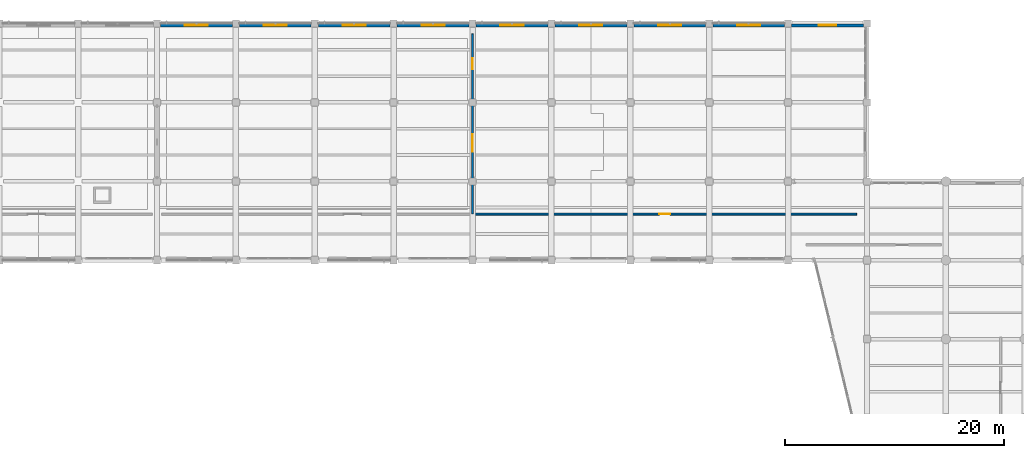
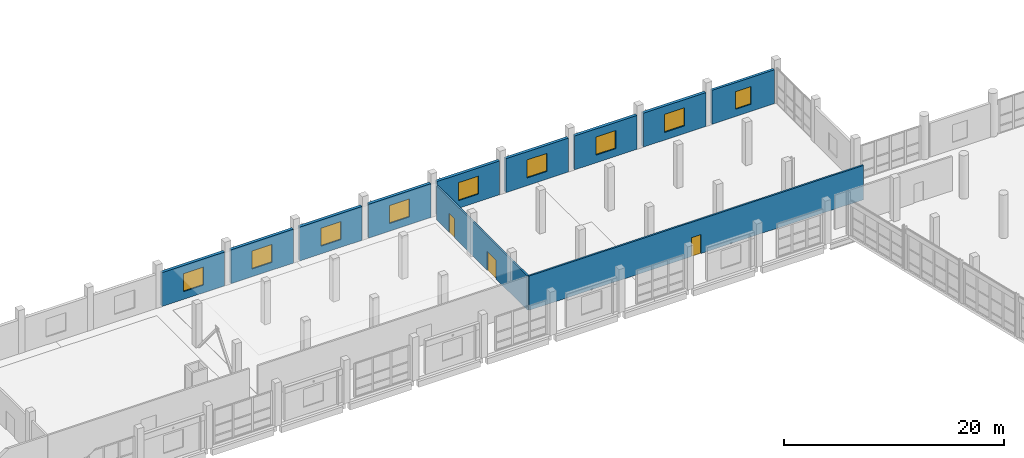
# One storey, part 99 of 127: 11 walls, 9 windows, 3 doors, 12 openings.
"""IFC4 building model written with IfcOpenShell, lengths in metres."""

from ifc_helpers import new_model, si_unit, direction, frame, frame_2d, origin, place, context, subcontext, project, spatial, rectangle, extrude, material, layer, layer_set, type_object, element, fill, save


model = new_model("IFC4")

# Units and contexts
model_context = context("Model", 3, precision=1e-05, world=origin(), true_north=direction((0.0, 1.0)))
body_context = subcontext(model_context, "Body", "Model", "MODEL_VIEW")
ifc_project = project(units=[si_unit("LENGTHUNIT", "METRE"), si_unit("AREAUNIT", "SQUARE_METRE"), si_unit("VOLUMEUNIT", "CUBIC_METRE"), si_unit("PLANEANGLEUNIT", "RADIAN"), si_unit("MASSUNIT", "GRAM", prefix="KILO")], contexts=[model_context])

# Site, building, storey
site_placement = place(None, origin())
site = spatial("IfcSite", under=ifc_project, at=site_placement, CompositionType="ELEMENT")
building_placement = place(site_placement, origin())
building = spatial("IfcBuilding", under=site, at=building_placement, Name="Kalmorath City Hall", CompositionType="ELEMENT")
storey_placement = place(building_placement, frame((0.0, 0.0, 5.39990234375)))
storey = spatial("IfcBuildingStorey", under=building, at=storey_placement, Name="L01", CompositionType="ELEMENT", Elevation=5.39990234375)

# Wall, openings, doors
ifc_material_1 = material(Name="High-STC double-stud acoustic partition")
ifc_layer_1 = layer(ifc_material_1, 0.1650390625)
ifc_layer_set_1 = layer_set([ifc_layer_1], Name="High-STC double-stud acoustic partition")
wall_type_1 = type_object("IfcWallType", Name="Chamber and committee acoustic partition 165", PredefinedType="PARTITIONING", material=ifc_layer_set_1)
wall_1_placement = place(storey_placement, frame((93.60009765625, 97.840087890625, 0.0), z_axis=(0.0, 0.0, 1.0), x_axis=(0.0, 1.0, 0.0)))
wall_1 = element("IfcWall", 1, at=wall_1_placement, inside=storey, type_object=wall_type_1, Name="L01 interior partition PW3 #99", PredefinedType="PARTITIONING", context=body_context, shape_type="SweptSolid", body=[
    extrude(rectangle(XDim=16.419921875, YDim=0.1650390625, at=frame_2d((8.2099609375, 0.0))), origin(), (0.0, 0.0, 1.0), 3.801025390625),
])
opening_1_placement = place(wall_1_placement, frame((5.66259765625, 0.0, 0.0)))
opening_1 = element("IfcOpeningElement", 2, at=opening_1_placement, cuts=wall_1, Name="Opening D-L01-185", PredefinedType="OPENING", context=body_context, shape_type="SweptSolid", body=[
    extrude(rectangle(XDim=1.60009765625, YDim=2.10009765625, at=frame_2d((0.800048828125, 1.050048828125))), frame((0.0, 0.092529296875, 0.0), z_axis=(0.0, -1.0, 0.0), x_axis=(1.0, 0.0, 0.0)), (0.0, 0.0, 1.0), 0.18505859375),
])
opening_2_placement = place(wall_1_placement, frame((13.177490234375, 0.0, 0.0)))
opening_2 = element("IfcOpeningElement", 3, at=opening_2_placement, cuts=wall_1, Name="Opening D-L01-187", PredefinedType="OPENING", context=body_context, shape_type="SweptSolid", body=[
    extrude(rectangle(XDim=1.0, YDim=2.10009765625, at=frame_2d((0.5, 1.050048828125))), frame((0.0, 0.092529296875, 0.0), z_axis=(0.0, -1.0, 0.0), x_axis=(1.0, 0.0, 0.0)), (0.0, 0.0, 1.0), 0.18505859375),
])
ifc_material_2 = material(Name="Acoustic hardwood fire door", Category="wood")
door_type_1 = type_object("IfcDoorType", Name="Committee double fire door 1600x2100", OperationType="DOUBLE_DOOR_SINGLE_SWING", PredefinedType="DOOR", material=ifc_material_2)
door_1_placement = place(opening_1_placement, origin())
door_1 = element("IfcDoor", 4, at=door_1_placement, inside=storey, type_object=door_type_1, Name="L01 door D-L01-185", OperationType="DOUBLE_DOOR_SINGLE_SWING", OverallHeight=2.10009765625, OverallWidth=1.60009765625, PredefinedType="DOOR", context=body_context, shape_type="SweptSolid", body=[
    extrude(rectangle(XDim=1.60009765625, YDim=2.10009765625, at=frame_2d((0.800048828125, 1.050048828125))), frame((0.0, 0.02490234375, 0.0), z_axis=(0.0, -1.0, 0.0), x_axis=(1.0, 0.0, 0.0)), (0.0, 0.0, 1.0), 0.050048828125),
])
fill(opening_1, door_1)
ifc_material_3 = material(Name="Hardwood fire door", Category="wood")
door_type_2 = type_object("IfcDoorType", Name="Corridor 60-min fire door 1000x2100", OperationType="NOTDEFINED", PredefinedType="DOOR", material=ifc_material_3)
door_2_placement = place(opening_2_placement, origin())
door_2 = element("IfcDoor", 5, at=door_2_placement, inside=storey, type_object=door_type_2, Name="L01 door D-L01-187", OperationType="SINGLE_SWING_LEFT", OverallHeight=2.10009765625, OverallWidth=1.0, PredefinedType="DOOR", context=body_context, shape_type="SweptSolid", body=[
    extrude(rectangle(XDim=1.0, YDim=2.10009765625, at=frame_2d((0.5, 1.050048828125))), frame((0.0, 0.02490234375, 0.0), z_axis=(0.0, -1.0, 0.0), x_axis=(1.0, 0.0, 0.0)), (0.0, 0.0, 1.0), 0.050048828125),
])
fill(opening_2, door_2)

# Wall, opening, window
ifc_material_4 = material(Name="Precast concrete C40/50", Category="concrete")
ifc_layer_2 = layer(ifc_material_4, 0.27001953125)
ifc_layer_set_2 = layer_set([ifc_layer_2], Name="Precast concrete C40/50")
wall_type_2 = type_object("IfcWallType", Name="Library splayed facade wall 270", PredefinedType="SOLIDWALL", material=ifc_layer_set_2)
wall_2_placement = place(storey_placement, frame((122.72607421875, 115.0400390625, 0.0), z_axis=(0.0, 0.0, 1.0), x_axis=(1.0, 0.0, 0.0)))
wall_2 = element("IfcWall", 6, at=wall_2_placement, inside=storey, type_object=wall_type_2, Name="L01 library wall #262", PredefinedType="SOLIDWALL", context=body_context, shape_type="SweptSolid", body=[
    extrude(rectangle(XDim=6.5478515625, YDim=0.27001953125, at=frame_2d((3.27392578125, 0.0))), origin(), (0.0, 0.0, 1.0), 3.7509765625),
])
opening_3_placement = place(wall_2_placement, frame((2.47412109375, 0.0, 0.800048828125)))
opening_3 = element("IfcOpeningElement", 7, at=opening_3_placement, cuts=wall_2, Name="Opening WN15", PredefinedType="OPENING", context=body_context, shape_type="SweptSolid", body=[
    extrude(rectangle(XDim=1.60009765625, YDim=1.949951171875, at=frame_2d((0.800048828125, 0.97509765625))), frame((0.0, 0.14501953125, 0.0), z_axis=(0.0, -1.0, 0.0), x_axis=(1.0, 0.0, 0.0)), (0.0, 0.0, 1.0), 0.2900390625),
])
ifc_material_5 = material(Name="Bronze-anodised aluminium and glass", Category="aluminium")
window_type_1 = type_object("IfcWindowType", Name="Library stacks window 1600x1950", PartitioningType="SINGLE_PANEL", PredefinedType="WINDOW", material=ifc_material_5)
window_1_placement = place(opening_3_placement, origin())
window_1 = element("IfcWindow", 8, at=window_1_placement, inside=storey, type_object=window_type_1, Name="L01 window WN15-129", OverallHeight=1.949951171875, OverallWidth=1.60009765625, PartitioningType="SINGLE_PANEL", PredefinedType="WINDOW", context=body_context, shape_type="SweptSolid", body=[
    extrude(rectangle(XDim=1.60009765625, YDim=1.949951171875, at=frame_2d((0.800048828125, 0.97509765625))), frame((0.0, 0.030029296875, 0.0), z_axis=(0.0, -1.0, 0.0), x_axis=(1.0, 0.0, 0.0)), (0.0, 0.0, 1.0), 0.06005859375),
])
fill(opening_3, window_1)

# Wall, opening, door
ifc_material_6 = material(Name="Fire-rated acoustic gypsum partition")
ifc_layer_3 = layer(ifc_material_6, 0.179931640625)
ifc_layer_set_3 = layer_set([ifc_layer_3], Name="Fire-rated acoustic gypsum partition")
wall_type_3 = type_object("IfcWallType", Name="One-hour corridor fire partition 180", PredefinedType="PARTITIONING", material=ifc_layer_set_3)
wall_3_placement = place(storey_placement, frame((93.639892578125, 97.800048828125, 0.0), z_axis=(0.0, 0.0, 1.0), x_axis=(1.0, 0.0, 0.0)))
wall_3 = element("IfcWall", 9, at=wall_3_placement, inside=storey, type_object=wall_type_3, Name="L01 interior partition PW2 #88", PredefinedType="PARTITIONING", context=body_context, shape_type="SweptSolid", body=[
    extrude(rectangle(XDim=35.02001953125, YDim=0.179931640625, at=frame_2d((17.510009765625, 0.0))), origin(), (0.0, 0.0, 1.0), 3.801025390625),
])
opening_4_placement = place(wall_3_placement, frame((17.010009765625, 0.0, 0.0)))
opening_4 = element("IfcOpeningElement", 10, at=opening_4_placement, cuts=wall_3, Name="Opening D-L01-186", PredefinedType="OPENING", context=body_context, shape_type="SweptSolid", body=[
    extrude(rectangle(XDim=1.0, YDim=2.10009765625, at=frame_2d((0.5, 1.050048828125))), frame((0.0, 0.099853515625, 0.0), z_axis=(0.0, -1.0, 0.0), x_axis=(1.0, 0.0, 0.0)), (0.0, 0.0, 1.0), 0.199951171875),
])
door_3_placement = place(opening_4_placement, origin())
door_3 = element("IfcDoor", 11, at=door_3_placement, inside=storey, type_object=door_type_2, Name="L01 door D-L01-186", OperationType="SINGLE_SWING_RIGHT", OverallHeight=2.10009765625, OverallWidth=1.0, PredefinedType="DOOR", context=body_context, shape_type="SweptSolid", body=[
    extrude(rectangle(XDim=1.0, YDim=2.10009765625, at=frame_2d((0.5, 1.050048828125))), frame((0.0, 0.02490234375, 0.0), z_axis=(0.0, -1.0, 0.0), x_axis=(1.0, 0.0, 0.0)), (0.0, 0.0, 1.0), 0.050048828125),
])
fill(opening_4, door_3)

# Wall, opening, window
ifc_material_7 = material(Name="Concrete C40/50", Category="concrete")
ifc_layer_4 = layer(ifc_material_7, 0.300048828125)
ifc_layer_set_4 = layer_set([ifc_layer_4], Name="Concrete C40/50")
wall_type_4 = type_object("IfcWallType", Name="Volcanic basalt backup wall 300", PredefinedType="SOLIDWALL", material=ifc_layer_set_4)
wall_4_placement = place(storey_placement, frame((65.1259765625, 115.0400390625, 0.0), z_axis=(0.0, 0.0, 1.0), x_axis=(1.0, 0.0, 0.0)))
wall_4 = element("IfcWall", 12, at=wall_4_placement, inside=storey, type_object=wall_type_4, Name="L01 basalt wing wall #254", PredefinedType="SOLIDWALL", context=body_context, shape_type="SweptSolid", body=[
    extrude(rectangle(XDim=6.548095703125, YDim=0.300048828125, at=frame_2d((3.27392578125, 0.0))), origin(), (0.0, 0.0, 1.0), 3.7509765625),
])
opening_5_placement = place(wall_4_placement, frame((2.22412109375, 0.0, 0.85009765625)))
opening_5 = element("IfcOpeningElement", 13, at=opening_5_placement, cuts=wall_4, Name="Opening WN9", PredefinedType="OPENING", context=body_context, shape_type="SweptSolid", body=[
    extrude(rectangle(XDim=2.10009765625, YDim=2.0, at=frame_2d((1.050048828125, 1.0))), frame((0.0, 0.159912109375, 0.0), z_axis=(0.0, -1.0, 0.0), x_axis=(1.0, 0.0, 0.0)), (0.0, 0.0, 1.0), 0.320068359375),
])
ifc_material_8 = material(Name="Bronze-anodised aluminium and glass", Category="aluminium")
window_type_2 = type_object("IfcWindowType", Name="Basalt committee window 2100x2000", PartitioningType="SINGLE_PANEL", PredefinedType="WINDOW", material=ifc_material_8)
window_2_placement = place(opening_5_placement, origin())
window_2 = element("IfcWindow", 14, at=window_2_placement, inside=storey, type_object=window_type_2, Name="L01 window WN9-121", OverallHeight=2.0, OverallWidth=2.10009765625, PartitioningType="SINGLE_PANEL", PredefinedType="WINDOW", context=body_context, shape_type="SweptSolid", body=[
    extrude(rectangle(XDim=2.10009765625, YDim=2.0, at=frame_2d((1.050048828125, 1.0))), frame((0.0, 0.030029296875, 0.0), z_axis=(0.0, -1.0, 0.0), x_axis=(1.0, 0.0, 0.0)), (0.0, 0.0, 1.0), 0.06005859375),
])
fill(opening_5, window_2)

wall_5_placement = place(storey_placement, frame((72.325927734375, 115.0400390625, 0.0), z_axis=(0.0, 0.0, 1.0), x_axis=(1.0, 0.0, 0.0)))
wall_5 = element("IfcWall", 15, at=wall_5_placement, inside=storey, type_object=wall_type_4, Name="L01 basalt wing wall #255", PredefinedType="SOLIDWALL", context=body_context, shape_type="SweptSolid", body=[
    extrude(rectangle(XDim=6.548095703125, YDim=0.300048828125, at=frame_2d((3.27392578125, 0.0))), origin(), (0.0, 0.0, 1.0), 3.7509765625),
])
opening_6_placement = place(wall_5_placement, frame((2.22412109375, 0.0, 0.85009765625)))
opening_6 = element("IfcOpeningElement", 16, at=opening_6_placement, cuts=wall_5, Name="Opening WN9", PredefinedType="OPENING", context=body_context, shape_type="SweptSolid", body=[
    extrude(rectangle(XDim=2.10009765625, YDim=2.0, at=frame_2d((1.050048828125, 1.0))), frame((0.0, 0.159912109375, 0.0), z_axis=(0.0, -1.0, 0.0), x_axis=(1.0, 0.0, 0.0)), (0.0, 0.0, 1.0), 0.320068359375),
])
window_3_placement = place(opening_6_placement, origin())
window_3 = element("IfcWindow", 17, at=window_3_placement, inside=storey, type_object=window_type_2, Name="L01 window WN9-122", OverallHeight=2.0, OverallWidth=2.10009765625, PartitioningType="SINGLE_PANEL", PredefinedType="WINDOW", context=body_context, shape_type="SweptSolid", body=[
    extrude(rectangle(XDim=2.10009765625, YDim=2.0, at=frame_2d((1.050048828125, 1.0))), frame((0.0, 0.030029296875, 0.0), z_axis=(0.0, -1.0, 0.0), x_axis=(1.0, 0.0, 0.0)), (0.0, 0.0, 1.0), 0.06005859375),
])
fill(opening_6, window_3)

wall_6_placement = place(storey_placement, frame((79.52587890625, 115.0400390625, 0.0), z_axis=(0.0, 0.0, 1.0), x_axis=(1.0, 0.0, 0.0)))
wall_6 = element("IfcWall", 18, at=wall_6_placement, inside=storey, type_object=wall_type_4, Name="L01 basalt wing wall #256", PredefinedType="SOLIDWALL", context=body_context, shape_type="SweptSolid", body=[
    extrude(rectangle(XDim=6.548095703125, YDim=0.300048828125, at=frame_2d((3.27392578125, 0.0))), origin(), (0.0, 0.0, 1.0), 3.7509765625),
])
opening_7_placement = place(wall_6_placement, frame((2.22412109375, 0.0, 0.85009765625)))
opening_7 = element("IfcOpeningElement", 19, at=opening_7_placement, cuts=wall_6, Name="Opening WN9", PredefinedType="OPENING", context=body_context, shape_type="SweptSolid", body=[
    extrude(rectangle(XDim=2.10009765625, YDim=2.0, at=frame_2d((1.050048828125, 1.0))), frame((0.0, 0.159912109375, 0.0), z_axis=(0.0, -1.0, 0.0), x_axis=(1.0, 0.0, 0.0)), (0.0, 0.0, 1.0), 0.320068359375),
])
window_4_placement = place(opening_7_placement, origin())
window_4 = element("IfcWindow", 20, at=window_4_placement, inside=storey, type_object=window_type_2, Name="L01 window WN9-123", OverallHeight=2.0, OverallWidth=2.10009765625, PartitioningType="SINGLE_PANEL", PredefinedType="WINDOW", context=body_context, shape_type="SweptSolid", body=[
    extrude(rectangle(XDim=2.10009765625, YDim=2.0, at=frame_2d((1.050048828125, 1.0))), frame((0.0, 0.030029296875, 0.0), z_axis=(0.0, -1.0, 0.0), x_axis=(1.0, 0.0, 0.0)), (0.0, 0.0, 1.0), 0.06005859375),
])
fill(opening_7, window_4)

wall_7_placement = place(storey_placement, frame((86.72607421875, 115.0400390625, 0.0), z_axis=(0.0, 0.0, 1.0), x_axis=(1.0, 0.0, 0.0)))
wall_7 = element("IfcWall", 21, at=wall_7_placement, inside=storey, type_object=wall_type_4, Name="L01 basalt wing wall #257", PredefinedType="SOLIDWALL", context=body_context, shape_type="SweptSolid", body=[
    extrude(rectangle(XDim=6.5478515625, YDim=0.300048828125, at=frame_2d((3.27392578125, 0.0))), origin(), (0.0, 0.0, 1.0), 3.7509765625),
])
opening_8_placement = place(wall_7_placement, frame((2.22412109375, 0.0, 0.85009765625)))
opening_8 = element("IfcOpeningElement", 22, at=opening_8_placement, cuts=wall_7, Name="Opening WN9", PredefinedType="OPENING", context=body_context, shape_type="SweptSolid", body=[
    extrude(rectangle(XDim=2.10009765625, YDim=2.0, at=frame_2d((1.050048828125, 1.0))), frame((0.0, 0.159912109375, 0.0), z_axis=(0.0, -1.0, 0.0), x_axis=(1.0, 0.0, 0.0)), (0.0, 0.0, 1.0), 0.320068359375),
])
window_5_placement = place(opening_8_placement, origin())
window_5 = element("IfcWindow", 23, at=window_5_placement, inside=storey, type_object=window_type_2, Name="L01 window WN9-124", OverallHeight=2.0, OverallWidth=2.10009765625, PartitioningType="SINGLE_PANEL", PredefinedType="WINDOW", context=body_context, shape_type="SweptSolid", body=[
    extrude(rectangle(XDim=2.10009765625, YDim=2.0, at=frame_2d((1.050048828125, 1.0))), frame((0.0, 0.030029296875, 0.0), z_axis=(0.0, -1.0, 0.0), x_axis=(1.0, 0.0, 0.0)), (0.0, 0.0, 1.0), 0.06005859375),
])
fill(opening_8, window_5)

wall_8_placement = place(storey_placement, frame((93.926025390625, 115.0400390625, 0.0), z_axis=(0.0, 0.0, 1.0), x_axis=(1.0, 0.0, 0.0)))
wall_8 = element("IfcWall", 24, at=wall_8_placement, inside=storey, type_object=wall_type_4, Name="L01 basalt wing wall #258", PredefinedType="SOLIDWALL", context=body_context, shape_type="SweptSolid", body=[
    extrude(rectangle(XDim=6.548095703125, YDim=0.300048828125, at=frame_2d((3.27392578125, 0.0))), origin(), (0.0, 0.0, 1.0), 3.7509765625),
])
opening_9_placement = place(wall_8_placement, frame((2.22412109375, 0.0, 0.85009765625)))
opening_9 = element("IfcOpeningElement", 25, at=opening_9_placement, cuts=wall_8, Name="Opening WN9", PredefinedType="OPENING", context=body_context, shape_type="SweptSolid", body=[
    extrude(rectangle(XDim=2.10009765625, YDim=2.0, at=frame_2d((1.050048828125, 1.0))), frame((0.0, 0.159912109375, 0.0), z_axis=(0.0, -1.0, 0.0), x_axis=(1.0, 0.0, 0.0)), (0.0, 0.0, 1.0), 0.320068359375),
])
window_6_placement = place(opening_9_placement, origin())
window_6 = element("IfcWindow", 26, at=window_6_placement, inside=storey, type_object=window_type_2, Name="L01 window WN9-125", OverallHeight=2.0, OverallWidth=2.10009765625, PartitioningType="SINGLE_PANEL", PredefinedType="WINDOW", context=body_context, shape_type="SweptSolid", body=[
    extrude(rectangle(XDim=2.10009765625, YDim=2.0, at=frame_2d((1.050048828125, 1.0))), frame((0.0, 0.030029296875, 0.0), z_axis=(0.0, -1.0, 0.0), x_axis=(1.0, 0.0, 0.0)), (0.0, 0.0, 1.0), 0.06005859375),
])
fill(opening_9, window_6)

wall_9_placement = place(storey_placement, frame((101.1259765625, 115.0400390625, 0.0), z_axis=(0.0, 0.0, 1.0), x_axis=(1.0, 0.0, 0.0)))
wall_9 = element("IfcWall", 27, at=wall_9_placement, inside=storey, type_object=wall_type_4, Name="L01 basalt wing wall #259", PredefinedType="SOLIDWALL", context=body_context, shape_type="SweptSolid", body=[
    extrude(rectangle(XDim=6.548095703125, YDim=0.300048828125, at=frame_2d((3.27392578125, 0.0))), origin(), (0.0, 0.0, 1.0), 3.7509765625),
])
opening_10_placement = place(wall_9_placement, frame((2.22412109375, 0.0, 0.85009765625)))
opening_10 = element("IfcOpeningElement", 28, at=opening_10_placement, cuts=wall_9, Name="Opening WN9", PredefinedType="OPENING", context=body_context, shape_type="SweptSolid", body=[
    extrude(rectangle(XDim=2.10009765625, YDim=2.0, at=frame_2d((1.050048828125, 1.0))), frame((0.0, 0.159912109375, 0.0), z_axis=(0.0, -1.0, 0.0), x_axis=(1.0, 0.0, 0.0)), (0.0, 0.0, 1.0), 0.320068359375),
])
window_7_placement = place(opening_10_placement, origin())
window_7 = element("IfcWindow", 29, at=window_7_placement, inside=storey, type_object=window_type_2, Name="L01 window WN9-126", OverallHeight=2.0, OverallWidth=2.10009765625, PartitioningType="SINGLE_PANEL", PredefinedType="WINDOW", context=body_context, shape_type="SweptSolid", body=[
    extrude(rectangle(XDim=2.10009765625, YDim=2.0, at=frame_2d((1.050048828125, 1.0))), frame((0.0, 0.030029296875, 0.0), z_axis=(0.0, -1.0, 0.0), x_axis=(1.0, 0.0, 0.0)), (0.0, 0.0, 1.0), 0.06005859375),
])
fill(opening_10, window_7)

wall_10_placement = place(storey_placement, frame((108.325927734375, 115.0400390625, 0.0), z_axis=(0.0, 0.0, 1.0), x_axis=(1.0, 0.0, 0.0)))
wall_10 = element("IfcWall", 30, at=wall_10_placement, inside=storey, type_object=wall_type_4, Name="L01 basalt wing wall #260", PredefinedType="SOLIDWALL", context=body_context, shape_type="SweptSolid", body=[
    extrude(rectangle(XDim=6.548095703125, YDim=0.300048828125, at=frame_2d((3.27392578125, 0.0))), origin(), (0.0, 0.0, 1.0), 3.7509765625),
])
opening_11_placement = place(wall_10_placement, frame((2.22412109375, 0.0, 0.85009765625)))
opening_11 = element("IfcOpeningElement", 31, at=opening_11_placement, cuts=wall_10, Name="Opening WN9", PredefinedType="OPENING", context=body_context, shape_type="SweptSolid", body=[
    extrude(rectangle(XDim=2.10009765625, YDim=2.0, at=frame_2d((1.050048828125, 1.0))), frame((0.0, 0.159912109375, 0.0), z_axis=(0.0, -1.0, 0.0), x_axis=(1.0, 0.0, 0.0)), (0.0, 0.0, 1.0), 0.320068359375),
])
window_8_placement = place(opening_11_placement, origin())
window_8 = element("IfcWindow", 32, at=window_8_placement, inside=storey, type_object=window_type_2, Name="L01 window WN9-127", OverallHeight=2.0, OverallWidth=2.10009765625, PartitioningType="SINGLE_PANEL", PredefinedType="WINDOW", context=body_context, shape_type="SweptSolid", body=[
    extrude(rectangle(XDim=2.10009765625, YDim=2.0, at=frame_2d((1.050048828125, 1.0))), frame((0.0, 0.030029296875, 0.0), z_axis=(0.0, -1.0, 0.0), x_axis=(1.0, 0.0, 0.0)), (0.0, 0.0, 1.0), 0.06005859375),
])
fill(opening_11, window_8)

wall_11_placement = place(storey_placement, frame((115.52587890625, 115.0400390625, 0.0), z_axis=(0.0, 0.0, 1.0), x_axis=(1.0, 0.0, 0.0)))
wall_11 = element("IfcWall", 33, at=wall_11_placement, inside=storey, type_object=wall_type_4, Name="L01 basalt wing wall #261", PredefinedType="SOLIDWALL", context=body_context, shape_type="SweptSolid", body=[
    extrude(rectangle(XDim=6.548095703125, YDim=0.300048828125, at=frame_2d((3.27392578125, 0.0))), origin(), (0.0, 0.0, 1.0), 3.7509765625),
])
opening_12_placement = place(wall_11_placement, frame((2.22412109375, 0.0, 0.85009765625)))
opening_12 = element("IfcOpeningElement", 34, at=opening_12_placement, cuts=wall_11, Name="Opening WN9", PredefinedType="OPENING", context=body_context, shape_type="SweptSolid", body=[
    extrude(rectangle(XDim=2.10009765625, YDim=2.0, at=frame_2d((1.050048828125, 1.0))), frame((0.0, 0.159912109375, 0.0), z_axis=(0.0, -1.0, 0.0), x_axis=(1.0, 0.0, 0.0)), (0.0, 0.0, 1.0), 0.320068359375),
])
window_9_placement = place(opening_12_placement, origin())
window_9 = element("IfcWindow", 35, at=window_9_placement, inside=storey, type_object=window_type_2, Name="L01 window WN9-128", OverallHeight=2.0, OverallWidth=2.10009765625, PartitioningType="SINGLE_PANEL", PredefinedType="WINDOW", context=body_context, shape_type="SweptSolid", body=[
    extrude(rectangle(XDim=2.10009765625, YDim=2.0, at=frame_2d((1.050048828125, 1.0))), frame((0.0, 0.030029296875, 0.0), z_axis=(0.0, -1.0, 0.0), x_axis=(1.0, 0.0, 0.0)), (0.0, 0.0, 1.0), 0.06005859375),
])
fill(opening_12, window_9)

save(model, "model.ifc")
